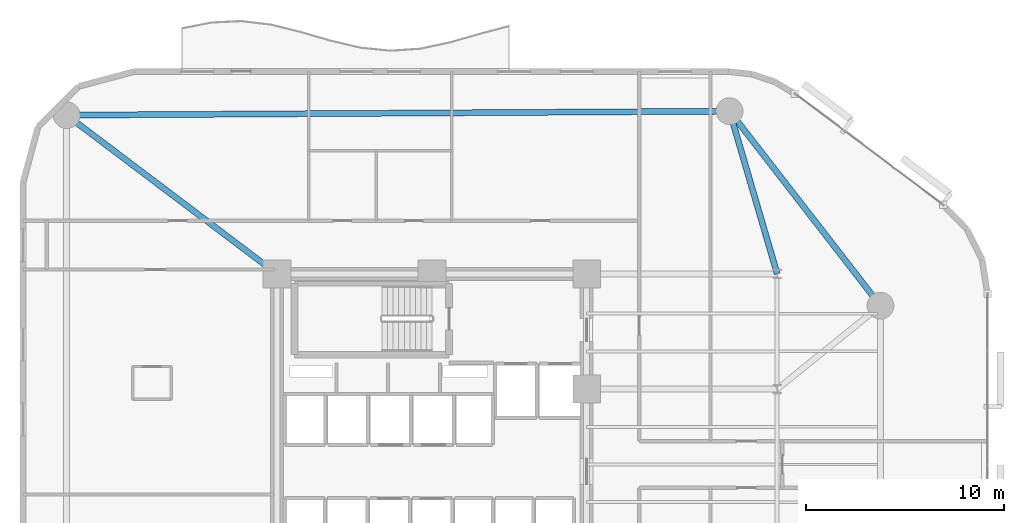
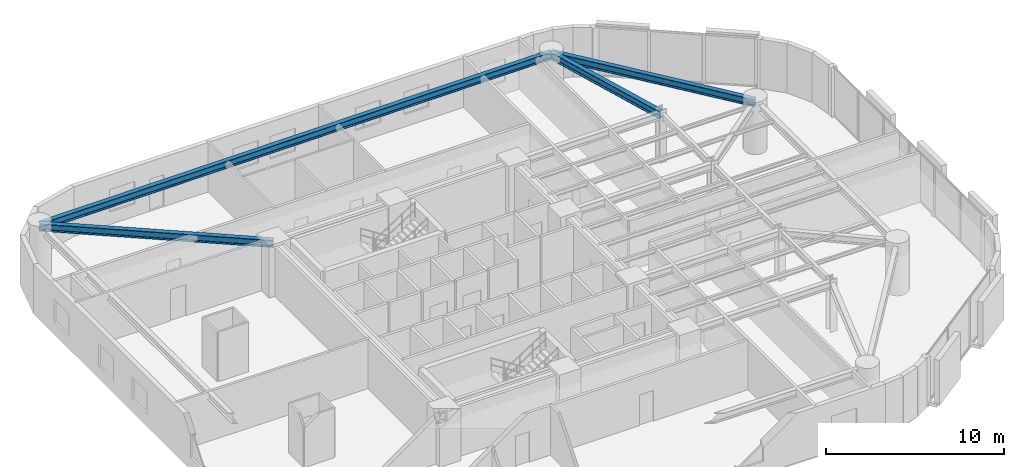
# One storey, part 7 of 15: 4 beams.
"""IFC4 building model written with IfcOpenShell, lengths in metres."""

from ifc_helpers import new_model, si_unit, direction, frame, origin, origin_2d, place, context, subcontext, project, spatial, i_section, extrude, material, material_profile, profile_set, type_object, element, save


model = new_model("IFC4")

# Units and contexts
model_context = context("Model", 3, precision=1e-05, world=origin(), true_north=direction((0.0, 1.0)))
body_context = subcontext(model_context, "Body", "Model", "MODEL_VIEW")
ifc_project = project(units=[si_unit("LENGTHUNIT", "METRE"), si_unit("AREAUNIT", "SQUARE_METRE"), si_unit("VOLUMEUNIT", "CUBIC_METRE"), si_unit("PLANEANGLEUNIT", "RADIAN"), si_unit("MASSUNIT", "GRAM", prefix="KILO")], contexts=[model_context])

# Site, building, storey
site_placement = place(None, origin())
site = spatial("IfcSite", under=ifc_project, at=site_placement, CompositionType="ELEMENT")
building_placement = place(site_placement, origin())
building = spatial("IfcBuilding", under=site, at=building_placement, Name="An Khanh Terracotta Commons", CompositionType="ELEMENT")
storey_placement = place(building_placement, frame((0.0, 0.0, 86.300048828125)))
storey = spatial("IfcBuildingStorey", under=building, at=storey_placement, Name="L22", CompositionType="ELEMENT", Elevation=86.300048828125)

# Beams
ifc_material = material(Name="Steel S355J2", Category="steel")
ifc_material_profile = material_profile(ifc_material, i_section(OverallWidth=0.300048828125, OverallDepth=0.5, WebThickness=0.014404296875, FlangeThickness=0.028076171875, FilletRadius=0.027099609375, at=origin_2d()), Name="HEB500")
ifc_profile_set = profile_set([ifc_material_profile], Name="Steel S355J2")
beam_type = type_object("IfcBeamType", Name="BM-HEB500", PredefinedType="BEAM", material=ifc_profile_set)
beam_1_placement = place(storey_placement, frame((52.0, 32.0, 3.14990234375), z_axis=(-0.612826529795, 0.790217466511, 0.0), x_axis=(-0.790217466511, -0.612826529795, 0.0)))
element("IfcBeam", 1, at=beam_1_placement, inside=storey, type_object=beam_type, Name="L22 Perimeter Ring Spandrel 4", PredefinedType="BEAM", context=body_context, shape_type="SweptSolid", body=[
    extrude(i_section(OverallWidth=0.300048828125, OverallDepth=0.5, WebThickness=0.014404296875, FlangeThickness=0.028076171875, FilletRadius=0.027099609375, at=origin_2d()), origin(), (0.0, 0.0, 1.0), 12.401611328125),
])
beam_2_placement = place(storey_placement, frame((44.39990234375, 41.800048828125, 3.14990234375), z_axis=(-0.999982080914, -0.005986472262, 0.0), x_axis=(0.005986472262, -0.999982080914, 0.0)))
element("IfcBeam", 2, at=beam_2_placement, inside=storey, type_object=beam_type, Name="L22 Perimeter Ring Spandrel 5", PredefinedType="BEAM", context=body_context, shape_type="SweptSolid", body=[
    extrude(i_section(OverallWidth=0.300048828125, OverallDepth=0.5, WebThickness=0.014404296875, FlangeThickness=0.028076171875, FilletRadius=0.027099609375, at=origin_2d()), origin(), (0.0, 0.0, 1.0), 33.400390625),
])
beam_3_placement = place(storey_placement, frame((44.39990234375, 41.800048828125, 3.14990234375), z_axis=(0.280916085823, -0.959732333896, 0.0), x_axis=(0.959732333896, 0.280916085823, 0.0)))
element("IfcBeam", 3, at=beam_3_placement, inside=storey, type_object=beam_type, Name="L22 Mega-Column Tie Girder 5", PredefinedType="BEAM", context=body_context, shape_type="SweptSolid", body=[
    extrude(i_section(OverallWidth=0.300048828125, OverallDepth=0.5, WebThickness=0.014404296875, FlangeThickness=0.028076171875, FilletRadius=0.027099609375, at=origin_2d()), origin(), (0.0, 0.0, 1.0), 8.5439453125),
])
beam_4_placement = place(storey_placement, frame((11.0, 41.60009765625, 3.14990234375), z_axis=(0.798191818888, -0.602403370061, 0.0), x_axis=(0.602403370061, 0.798191818888, 0.0)))
element("IfcBeam", 4, at=beam_4_placement, inside=storey, type_object=beam_type, Name="L22 Mega-Column Tie Girder 6", PredefinedType="BEAM", context=body_context, shape_type="SweptSolid", body=[
    extrude(i_section(OverallWidth=0.300048828125, OverallDepth=0.5, WebThickness=0.014404296875, FlangeThickness=0.028076171875, FilletRadius=0.027099609375, at=origin_2d()), origin(), (0.0, 0.0, 1.0), 13.280029296875),
])

save(model, "model.ifc")
